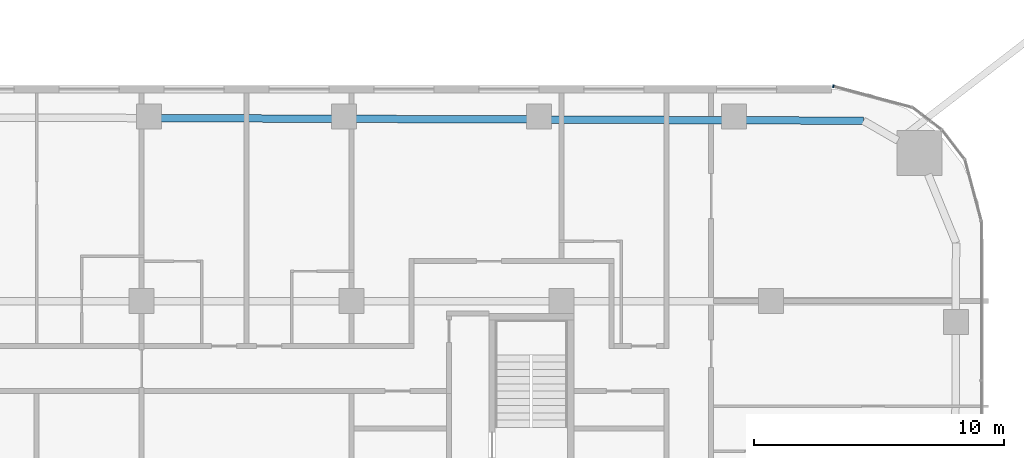
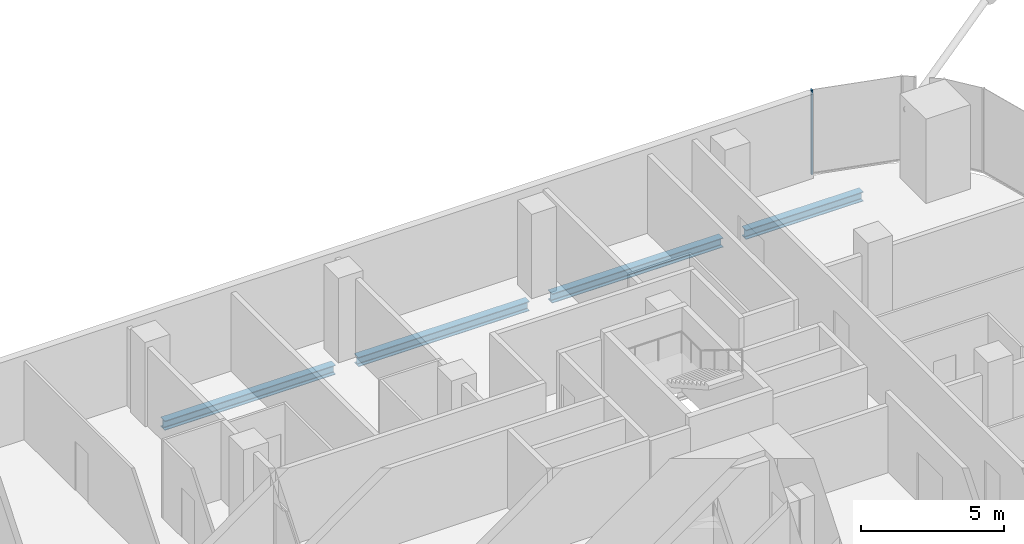
# One storey, part 13 of 34: 4 beams, 1 member, 1 element without a shape of its own.
"""IFC4 building model written with IfcOpenShell, lengths in metres."""

from ifc_helpers import new_model, si_unit, direction, frame, origin, origin_2d, place, context, subcontext, project, spatial, rectangle, i_section, extrude, material, layer, layer_set, material_profile, profile_set, type_object, element, aggregate, save


model = new_model("IFC4")

# Units and contexts
model_context = context("Model", 3, precision=1e-05, world=origin(), true_north=direction((0.0, 1.0)))
body_context = subcontext(model_context, "Body", "Model", "MODEL_VIEW")
ifc_project = project(units=[si_unit("LENGTHUNIT", "METRE"), si_unit("AREAUNIT", "SQUARE_METRE"), si_unit("VOLUMEUNIT", "CUBIC_METRE"), si_unit("PLANEANGLEUNIT", "RADIAN"), si_unit("MASSUNIT", "GRAM", prefix="KILO")], contexts=[model_context])

# Site, building, storey
site_placement = place(None, origin())
site = spatial("IfcSite", under=ifc_project, at=site_placement, CompositionType="ELEMENT")
building_placement = place(site_placement, origin())
building = spatial("IfcBuilding", under=site, at=building_placement, Name="Marenta Gate Hotel Tower", CompositionType="ELEMENT")
storey_placement = place(building_placement, frame((0.0, 0.0, 76.10009765625)))
storey = spatial("IfcBuildingStorey", under=building, at=storey_placement, Name="L17", CompositionType="ELEMENT", Elevation=76.10009765625)

# Beams
ifc_material_1 = material(Name="Steel S355", Category="steel")
ifc_material_profile_1 = material_profile(ifc_material_1, i_section(OverallWidth=0.300048828125, OverallDepth=0.39990234375, WebThickness=0.013427734375, FlangeThickness=0.02392578125, FilletRadius=0.027099609375, at=origin_2d()), Name="HEB 400")
ifc_profile_set_1 = profile_set([ifc_material_profile_1], Name="Steel S355")
beam_type = type_object("IfcBeamType", Name="Edge beam HEB 400", PredefinedType="SPANDREL", material=ifc_profile_set_1)
for number, where, z_axis, x_axis, name in (
    (1, (-3.44140625, 32.52587890625, -0.460205078125), (0.999993195747, -0.003688964684, 0.0), (0.003688964684, 0.999993195747, 0.0), "L17-EB-16"),
    (2, (4.361328125, 32.4970703125, -0.460205078125), (0.999993064268, -0.003724435008, 0.0), (0.003724435008, 0.999993064268, 0.0), "L17-EB-17"),
    (3, (12.1640625, 32.468017578125, -0.460205078125), (0.999993064268, -0.003724435008, 0.0), (0.003724435008, 0.999993064268, 0.0), "L17-EB-18"),
):
    element("IfcBeam", number, at=place(storey_placement, frame(where, z_axis=z_axis, x_axis=x_axis)), inside=storey, type_object=beam_type, Name=name, PredefinedType="SPANDREL", context=body_context, shape_type="SweptSolid", body=[
        extrude(i_section(OverallWidth=0.300048828125, OverallDepth=0.39990234375, WebThickness=0.013427734375, FlangeThickness=0.02392578125, FilletRadius=0.027099609375, at=origin_2d()), origin(), (0.0, 0.0, 1.0), 6.8828125),
    ])
beam_placement = place(storey_placement, frame((19.966796875, 32.43896484375, -0.460205078125), z_axis=(0.999993080272, -0.003720135464, 0.0), x_axis=(0.003720135464, 0.999993080272, 0.0)))
element("IfcBeam", 4, at=beam_placement, inside=storey, type_object=beam_type, Name="L17-EB-19", PredefinedType="SPANDREL", context=body_context, shape_type="SweptSolid", body=[
    extrude(i_section(OverallWidth=0.300048828125, OverallDepth=0.39990234375, WebThickness=0.013427734375, FlangeThickness=0.02392578125, FilletRadius=0.027099609375, at=origin_2d()), origin(), (0.0, 0.0, 1.0), 4.72509765625),
])

# Curtain wall, member
ifc_material_2 = material(Name="Tinted insulated glass in bronze anodised frame", Category="glass")
ifc_layer = layer(ifc_material_2, 0.1201171875)
ifc_layer_set = layer_set([ifc_layer], Name="Tinted insulated glass in bronze anodised frame")
curtain_wall_type = type_object("IfcCurtainWallType", Name="Tower unitised curtain wall CW1", PredefinedType="NOTDEFINED", material=ifc_layer_set)
curtain_wall_placement = place(storey_placement, origin())
curtain_wall = element("IfcCurtainWall", 5, at=curtain_wall_placement, inside=storey, type_object=curtain_wall_type, Name="CW1 run G24", PredefinedType="NOTDEFINED")
ifc_material_3 = material(Name="Bronze anodised aluminium", Category="aluminium")
ifc_material_profile_2 = material_profile(ifc_material_3, rectangle(XDim=0.1201171875, YDim=0.06005859375, at=origin_2d()), Name="Mullion CW1 60x120 bronze anodised aluminium")
ifc_profile_set_2 = profile_set([ifc_material_profile_2], Name="Bronze anodised aluminium")
member_type = type_object("IfcMemberType", Name="Mullion CW1 60x120 bronze anodised aluminium", PredefinedType="MULLION", material=ifc_profile_set_2)
member_placement = place(storey_placement, frame((23.485595703125, 33.80322265625, 0.0), z_axis=(0.0, 0.0, 1.0), x_axis=(-0.258807310344, -0.965928970532, 0.0)))
member = element("IfcMember", 6, at=member_placement, type_object=member_type, Name="CW1 mullion 2", PredefinedType="MULLION", context=body_context, shape_type="SweptSolid", body=[
    extrude(rectangle(XDim=0.1201171875, YDim=0.06005859375, at=origin_2d()), origin(), (0.0, 0.0, 1.0), 3.599853515625),
])
aggregate(curtain_wall, [member])

save(model, "model.ifc")
